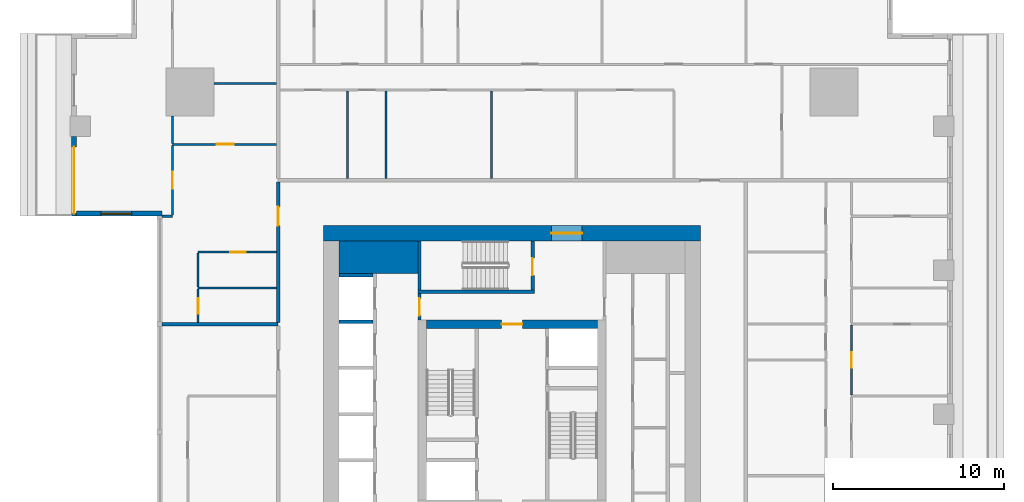
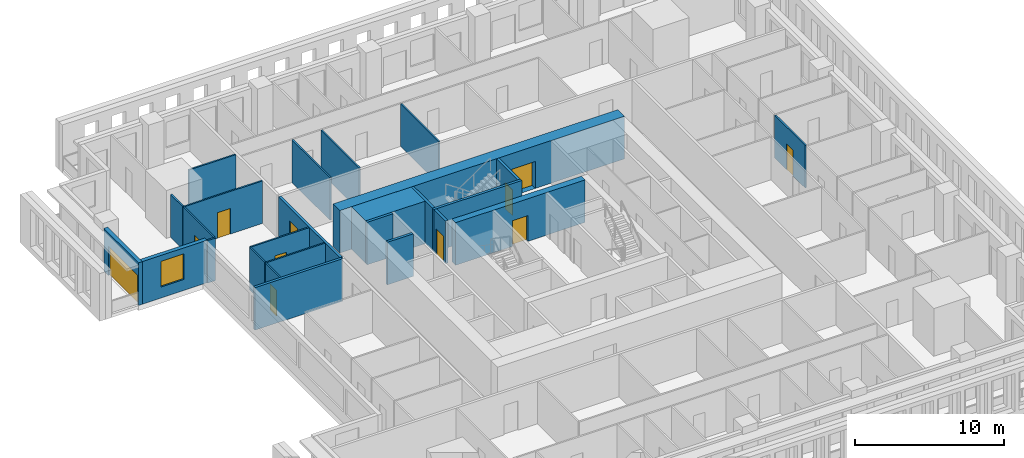
# One storey, part 6 of 14: 26 walls, 11 doors, 1 window, 12 openings.
"""IFC4 building model written with IfcOpenShell, lengths in metres."""

from ifc_helpers import new_model, si_unit, direction, frame, frame_2d, origin, place, context, subcontext, project, spatial, rectangle, extrude, material, layer, layer_set, type_object, element, fill, save


model = new_model("IFC4")

# Units and contexts
model_context = context("Model", 3, precision=1e-05, world=origin(), true_north=direction((0.0, 1.0)))
body_context = subcontext(model_context, "Body", "Model", "MODEL_VIEW")
ifc_project = project(units=[si_unit("LENGTHUNIT", "METRE"), si_unit("AREAUNIT", "SQUARE_METRE"), si_unit("VOLUMEUNIT", "CUBIC_METRE"), si_unit("PLANEANGLEUNIT", "RADIAN"), si_unit("MASSUNIT", "GRAM", prefix="KILO")], contexts=[model_context])

# Site, building, storey
site_placement = place(None, origin())
site = spatial("IfcSite", under=ifc_project, at=site_placement, CompositionType="ELEMENT")
building_placement = place(site_placement, origin())
building = spatial("IfcBuilding", under=site, at=building_placement, Name="Khepri Terraces", CompositionType="ELEMENT")
storey_placement = place(building_placement, frame((0.0, 0.0, 114.300048828125)))
storey = spatial("IfcBuildingStorey", under=building, at=storey_placement, Name="L27", CompositionType="ELEMENT", Elevation=114.300048828125)

# Walls
ifc_material_1 = material(Name="Concrete C70/85", Category="concrete")
ifc_layer_1 = layer(ifc_material_1, 1.89990234375, Name="Concrete C70/85", Category="concrete")
ifc_layer_set_1 = layer_set([ifc_layer_1], Name="Concrete C70/85")
wall_type_1 = type_object("IfcWallType", Name="Core wall 1900 C70/85", PredefinedType="SHEAR", material=ifc_layer_set_1)
wall_1_placement = place(storey_placement, frame((-10.10009765625, 9.14990234375, 0.0), z_axis=(0.0, 0.0, 1.0), x_axis=(1.0, 0.0, 0.0)))
element("IfcWall", 1, at=wall_1_placement, inside=storey, type_object=wall_type_1, Name="Core wall PR03 L27", PredefinedType="SHEAR", context=body_context, shape_type="SweptSolid", body=[
    extrude(rectangle(XDim=4.60009765625, YDim=1.89990234375, at=frame_2d((2.300048828125, 0.0))), origin(), (0.0, 0.0, 1.0), 3.47998046875),
])
ifc_layer_2 = layer(ifc_material_1, 0.199951171875, Name="Concrete C70/85", Category="concrete")
ifc_layer_set_2 = layer_set([ifc_layer_2], Name="Concrete C70/85")
wall_type_2 = type_object("IfcWallType", Name="Core wall 200 C70/85", PredefinedType="SHEAR", material=ifc_layer_set_2)
wall_2_placement = place(storey_placement, frame((-5.5, 7.14990234375, 0.0), z_axis=(0.0, 0.0, 1.0), x_axis=(1.0, 0.0, 0.0)))
element("IfcWall", 2, at=wall_2_placement, inside=storey, type_object=wall_type_2, Name="Core wall ST05 L27", PredefinedType="SHEAR", context=body_context, shape_type="SweptSolid", body=[
    extrude(rectangle(XDim=6.800048828125, YDim=0.199951171875, at=frame_2d((3.39990234375, 0.0))), origin(), (0.0, 0.0, 1.0), 3.47998046875),
])
wall_3_placement = place(storey_placement, frame((-5.39990234375, 7.25, 0.0), z_axis=(0.0, 0.0, 1.0), x_axis=(0.0, 1.0, 0.0)))
element("IfcWall", 3, at=wall_3_placement, inside=storey, type_object=wall_type_2, Name="Core wall ST06 L27", PredefinedType="SHEAR", context=body_context, shape_type="SweptSolid", body=[
    extrude(rectangle(XDim=2.85009765625, YDim=0.199951171875, at=frame_2d((1.425048828125, 0.0))), origin(), (0.0, 0.0, 1.0), 3.47998046875),
])

# Wall, opening, door
wall_4_placement = place(storey_placement, frame((1.199951171875, 7.25, 0.0), z_axis=(0.0, 0.0, 1.0), x_axis=(0.0, 1.0, 0.0)))
wall_4 = element("IfcWall", 4, at=wall_4_placement, inside=storey, type_object=wall_type_2, Name="Core wall ST07 L27", PredefinedType="SHEAR", context=body_context, shape_type="SweptSolid", body=[
    extrude(rectangle(XDim=2.85009765625, YDim=0.199951171875, at=frame_2d((1.425048828125, 0.0))), origin(), (0.0, 0.0, 1.0), 3.47998046875),
])
opening_1_placement = place(wall_4_placement, frame((0.85009765625, 0.0, 0.0)))
opening_1 = element("IfcOpeningElement", 5, at=opening_1_placement, cuts=wall_4, Name="Opening L27-C15", PredefinedType="OPENING", context=body_context, shape_type="SweptSolid", body=[
    extrude(rectangle(XDim=1.0, YDim=2.10009765625, at=frame_2d((0.5, 1.050048828125))), frame((0.0, 0.10986328125, 0.0), z_axis=(0.0, -1.0, 0.0), x_axis=(1.0, 0.0, 0.0)), (0.0, 0.0, 1.0), 0.219970703125),
])
ifc_material_2 = material(Name="Painted steel", Category="steel")
door_type_1 = type_object("IfcDoorType", Name="DR-CORE-STAIR-1000", OperationType="NOTDEFINED", PredefinedType="DOOR", material=ifc_material_2)
door_1_placement = place(opening_1_placement, origin())
door_1 = element("IfcDoor", 6, at=door_1_placement, inside=storey, type_object=door_type_1, Name="Stair door L27-C15", OperationType="SINGLE_SWING_LEFT", OverallHeight=2.10009765625, OverallWidth=1.0, PredefinedType="DOOR", context=body_context, shape_type="SweptSolid", body=[
    extrude(rectangle(XDim=1.0, YDim=2.10009765625, at=frame_2d((0.5, 1.050048828125))), frame((0.0, 0.02490234375, 0.0), z_axis=(0.0, -1.0, 0.0), x_axis=(1.0, 0.0, 0.0)), (0.0, 0.0, 1.0), 0.050048828125),
])
fill(opening_1, door_1)

# Walls
for number, where, z_axis, x_axis, name in (
    (7, (-10.10009765625, 5.39990234375, 0.0), (0.0, 0.0, 1.0), (1.0, 0.0, 0.0), "Core wall SH19 L27"),
    (8, (-10.10009765625, 8.10009765625, 0.0), (0.0, 0.0, 1.0), (1.0, 0.0, 0.0), "Core wall SH20 L27"),
):
    element("IfcWall", number, at=place(storey_placement, frame(where, z_axis=z_axis, x_axis=x_axis)), inside=storey, type_object=wall_type_2, Name=name, PredefinedType="SHEAR", context=body_context, shape_type="SweptSolid", body=[
        extrude(rectangle(XDim=2.0, YDim=0.199951171875, at=frame_2d((1.0, 0.0))), origin(), (0.0, 0.0, 1.0), 3.47998046875),
    ])

# Wall, opening, door
ifc_layer_3 = layer(ifc_material_1, 0.5, Name="Concrete C70/85", Category="concrete")
ifc_layer_set_3 = layer_set([ifc_layer_3], Name="Concrete C70/85")
wall_type_3 = type_object("IfcWallType", Name="Core wall 500 C70/85", PredefinedType="SHEAR", material=ifc_layer_set_3)
wall_5_placement = place(storey_placement, frame((-5.0, 5.25, 0.0), z_axis=(0.0, 0.0, 1.0), x_axis=(1.0, 0.0, 0.0)))
wall_5 = element("IfcWall", 9, at=wall_5_placement, inside=storey, type_object=wall_type_3, Name="Core wall BX04 L27", PredefinedType="SHEAR", context=body_context, shape_type="SweptSolid", body=[
    extrude(rectangle(XDim=10.0, YDim=0.5, at=frame_2d((5.0, 0.0))), origin(), (0.0, 0.0, 1.0), 3.47998046875),
])
opening_2_placement = place(wall_5_placement, frame((4.39990234375, 0.0, 0.0)))
opening_2 = element("IfcOpeningElement", 10, at=opening_2_placement, cuts=wall_5, Name="Opening L27-C13", PredefinedType="OPENING", context=body_context, shape_type="SweptSolid", body=[
    extrude(rectangle(XDim=1.199951171875, YDim=2.10009765625, at=frame_2d((0.60009765625, 1.050048828125))), frame((0.0, 0.260009765625, 0.0), z_axis=(0.0, -1.0, 0.0), x_axis=(1.0, 0.0, 0.0)), (0.0, 0.0, 1.0), 0.52001953125),
])
door_type_2 = type_object("IfcDoorType", Name="DR-CORE-FF-LOBBY-1200", OperationType="NOTDEFINED", PredefinedType="DOOR", material=ifc_material_2)
door_2_placement = place(opening_2_placement, frame((1.199951171875, 0.0, 0.0), z_axis=(0.0, 0.0, 1.0), x_axis=(-1.0, 0.0, 0.0)))
door_2 = element("IfcDoor", 11, at=door_2_placement, inside=storey, type_object=door_type_2, Name="Firefighting lobby door L27-C13", OperationType="SINGLE_SWING_LEFT", OverallHeight=2.10009765625, OverallWidth=1.199951171875, PredefinedType="DOOR", context=body_context, shape_type="SweptSolid", body=[
    extrude(rectangle(XDim=1.199951171875, YDim=2.10009765625, at=frame_2d((0.60009765625, 1.050048828125))), frame((0.0, 0.02490234375, 0.0), z_axis=(0.0, -1.0, 0.0), x_axis=(1.0, 0.0, 0.0)), (0.0, 0.0, 1.0), 0.050048828125),
])
fill(opening_2, door_2)

ifc_layer_4 = layer(ifc_material_1, 0.89990234375, Name="Concrete C70/85", Category="concrete")
ifc_layer_set_4 = layer_set([ifc_layer_4], Name="Concrete C70/85")
wall_type_4 = type_object("IfcWallType", Name="Core wall 900 C70/85", PredefinedType="SHEAR", material=ifc_layer_set_4)
wall_6_placement = place(storey_placement, frame((-11.0, 10.550048828125, 0.0), z_axis=(0.0, 0.0, 1.0), x_axis=(1.0, 0.0, 0.0)))
wall_6 = element("IfcWall", 12, at=wall_6_placement, inside=storey, type_object=wall_type_4, Name="Core wall OW-N L27", PredefinedType="SHEAR", context=body_context, shape_type="SweptSolid", body=[
    extrude(rectangle(XDim=22.0, YDim=0.89990234375, at=frame_2d((11.0, 0.0))), origin(), (0.0, 0.0, 1.0), 3.47998046875),
])
opening_3_placement = place(wall_6_placement, frame((13.300048828125, 0.0, 0.0)))
opening_3 = element("IfcOpeningElement", 13, at=opening_3_placement, cuts=wall_6, Name="Opening L27-C20", PredefinedType="OPENING", context=body_context, shape_type="SweptSolid", body=[
    extrude(rectangle(XDim=1.800048828125, YDim=2.199951171875, at=frame_2d((0.89990234375, 1.10009765625))), frame((0.0, 0.4599609375, 0.0), z_axis=(0.0, -1.0, 0.0), x_axis=(1.0, 0.0, 0.0)), (0.0, 0.0, 1.0), 0.919921875),
])
door_type_3 = type_object("IfcDoorType", Name="DR-CORE-ENTRANCE-1800", OperationType="NOTDEFINED", PredefinedType="DOOR", material=ifc_material_2)
door_3_placement = place(opening_3_placement, origin())
door_3 = element("IfcDoor", 14, at=door_3_placement, inside=storey, type_object=door_type_3, Name="Core entrance door pair L27-C20", OperationType="DOUBLE_DOOR_SINGLE_SWING", OverallHeight=2.199951171875, OverallWidth=1.800048828125, PredefinedType="DOOR", context=body_context, shape_type="SweptSolid", body=[
    extrude(rectangle(XDim=1.800048828125, YDim=2.199951171875, at=frame_2d((0.89990234375, 1.10009765625))), frame((0.0, 0.02490234375, 0.0), z_axis=(0.0, -1.0, 0.0), x_axis=(1.0, 0.0, 0.0)), (0.0, 0.0, 1.0), 0.050048828125),
])
fill(opening_3, door_3)

ifc_material_3 = material(Name="Fire-rated gypsum board partition")
ifc_layer_5 = layer(ifc_material_3, 0.199951171875, Name="Fire-rated gypsum board partition")
ifc_layer_set_5 = layer_set([ifc_layer_5], Name="Fire-rated gypsum board partition")
wall_type_5 = type_object("IfcWallType", Name="WL-CORE-PART-200", PredefinedType="PARTITIONING", material=ifc_layer_set_5)
wall_7_placement = place(storey_placement, frame((-5.39990234375, 5.5, 0.0), z_axis=(0.0, 0.0, 1.0), x_axis=(0.0, 1.0, 0.0)))
wall_7 = element("IfcWall", 15, at=wall_7_placement, inside=storey, type_object=wall_type_5, Name="Core partition PT07 L27", PredefinedType="PARTITIONING", context=body_context, shape_type="SweptSolid", body=[
    extrude(rectangle(XDim=1.550048828125, YDim=0.199951171875, at=frame_2d((0.77490234375, 0.0))), origin(), (0.0, 0.0, 1.0), 3.47998046875),
])
opening_4_placement = place(wall_7_placement, frame((0.25, 0.0, 0.0)))
opening_4 = element("IfcOpeningElement", 16, at=opening_4_placement, cuts=wall_7, Name="Opening L27-C16", PredefinedType="OPENING", context=body_context, shape_type="SweptSolid", body=[
    extrude(rectangle(XDim=1.0, YDim=2.10009765625, at=frame_2d((0.5, 1.050048828125))), frame((0.0, 0.10986328125, 0.0), z_axis=(0.0, -1.0, 0.0), x_axis=(1.0, 0.0, 0.0)), (0.0, 0.0, 1.0), 0.219970703125),
])
door_type_4 = type_object("IfcDoorType", Name="DR-CORE-LOBBY-1000", OperationType="NOTDEFINED", PredefinedType="DOOR", material=ifc_material_2)
door_4_placement = place(opening_4_placement, frame((1.0, 0.0, 0.0), z_axis=(0.0, 0.0, 1.0), x_axis=(-1.0, 0.0, 0.0)))
door_4 = element("IfcDoor", 17, at=door_4_placement, inside=storey, type_object=door_type_4, Name="Lobby door L27-C16", OperationType="SINGLE_SWING_RIGHT", OverallHeight=2.10009765625, OverallWidth=1.0, PredefinedType="DOOR", context=body_context, shape_type="SweptSolid", body=[
    extrude(rectangle(XDim=1.0, YDim=2.10009765625, at=frame_2d((0.5, 1.050048828125))), frame((0.0, 0.02490234375, 0.0), z_axis=(0.0, -1.0, 0.0), x_axis=(1.0, 0.0, 0.0)), (0.0, 0.0, 1.0), 0.050048828125),
])
fill(opening_4, door_4)

# Wall
ifc_material_4 = material(Name="Fire-rated gypsum plasterboard partition, mineral wool")
ifc_layer_6 = layer(ifc_material_4, 0.199951171875, Name="Fire-rated gypsum plasterboard partition, mineral wool")
ifc_layer_set_6 = layer_set([ifc_layer_6], Name="Fire-rated gypsum plasterboard partition, mineral wool")
wall_type_6 = type_object("IfcWallType", Name="WL-CORR-200", PredefinedType="PARTITIONING", material=ifc_layer_set_6)
wall_8_placement = place(storey_placement, frame((-20.419921875, 5.25, 0.0), z_axis=(0.0, 0.0, 1.0), x_axis=(1.0, 0.0, 0.0)))
element("IfcWall", 18, at=wall_8_placement, inside=storey, type_object=wall_type_6, Name="Partition P-049 L27", PredefinedType="PARTITIONING", context=body_context, shape_type="SweptSolid", body=[
    extrude(rectangle(XDim=6.77001953125, YDim=0.199951171875, at=frame_2d((3.385009765625, 0.0))), origin(), (0.0, 0.0, 1.0), 3.47998046875),
])

# Wall, opening, door
wall_9_placement = place(storey_placement, frame((-13.64990234375, 5.35009765625, 0.0), z_axis=(0.0, 0.0, 1.0), x_axis=(0.0, 1.0, 0.0)))
wall_9 = element("IfcWall", 19, at=wall_9_placement, inside=storey, type_object=wall_type_6, Name="Partition P-055 L27", PredefinedType="PARTITIONING", context=body_context, shape_type="SweptSolid", body=[
    extrude(rectangle(XDim=8.199951171875, YDim=0.199951171875, at=frame_2d((4.10009765625, 0.0))), origin(), (0.0, 0.0, 1.0), 3.47998046875),
])
opening_5_placement = place(wall_9_placement, frame((5.64990234375, 0.0, 0.0)))
opening_5 = element("IfcOpeningElement", 20, at=opening_5_placement, cuts=wall_9, Name="Opening D1", PredefinedType="OPENING", context=body_context, shape_type="SweptSolid", body=[
    extrude(rectangle(XDim=1.10009765625, YDim=2.39990234375, at=frame_2d((0.550048828125, 1.199951171875))), frame((0.0, 0.10986328125, 0.0), z_axis=(0.0, -1.0, 0.0), x_axis=(1.0, 0.0, 0.0)), (0.0, 0.0, 1.0), 0.219970703125),
])
ifc_material_5 = material(Name="Solid-core timber door leaf, flat entrance door", Category="wood")
door_type_5 = type_object("IfcDoorType", Name="DR-ENT-1100", OperationType="NOTDEFINED", PredefinedType="DOOR", material=ifc_material_5)
door_5_placement = place(opening_5_placement, origin())
door_5 = element("IfcDoor", 21, at=door_5_placement, inside=storey, type_object=door_type_5, Name="Flat D1 entrance door", OperationType="SINGLE_SWING_RIGHT", OverallHeight=2.39990234375, OverallWidth=1.10009765625, PredefinedType="DOOR", context=body_context, shape_type="SweptSolid", body=[
    extrude(rectangle(XDim=1.10009765625, YDim=2.39990234375, at=frame_2d((0.550048828125, 1.199951171875))), frame((0.0, 0.02490234375, 0.0), z_axis=(0.0, -1.0, 0.0), x_axis=(1.0, 0.0, 0.0)), (0.0, 0.0, 1.0), 0.050048828125),
])
fill(opening_5, door_5)

ifc_material_6 = material(Name="Precast concrete C50/60 warm stone", Category="masonry")
ifc_layer_7 = layer(ifc_material_6, 0.300048828125, Name="Precast concrete C50/60 warm stone", Category="masonry")
ifc_layer_set_7 = layer_set([ifc_layer_7], Name="Precast concrete C50/60 warm stone")
wall_type_7 = type_object("IfcWallType", Name="WL-EXT-PRECAST-300", PredefinedType="STANDARD", material=ifc_layer_set_7)
wall_10_placement = place(storey_placement, frame((-25.570068359375, 16.199951171875, 0.0), z_axis=(0.0, 0.0, 1.0), x_axis=(0.0, -1.0, 0.0)))
wall_10 = element("IfcWall", 22, at=wall_10_placement, inside=storey, type_object=wall_type_7, Name="External wall L27 W", PredefinedType="STANDARD", context=body_context, shape_type="SweptSolid", body=[
    extrude(rectangle(XDim=4.64990234375, YDim=0.300048828125, at=frame_2d((2.324951171875, 0.0))), origin(), (0.0, 0.0, 1.0), 3.47998046875),
])
opening_6_placement = place(wall_10_placement, frame((0.60009765625, 0.0, 0.0)))
opening_6 = element("IfcOpeningElement", 23, at=opening_6_placement, cuts=wall_10, Name="Opening ED-L27-13", PredefinedType="OPENING", context=body_context, shape_type="SweptSolid", body=[
    extrude(rectangle(XDim=3.89990234375, YDim=2.39990234375, at=frame_2d((1.949951171875, 1.199951171875))), frame((0.0, 0.16015625, 0.0), z_axis=(0.0, -1.0, 0.0), x_axis=(1.0, 0.0, 0.0)), (0.0, 0.0, 1.0), 0.320068359375),
])
ifc_material_7 = material(Name="Anodised aluminium bronze glazed door", Category="aluminium")
door_type_6 = type_object("IfcDoorType", Name="DR-BAL-SLIDE-3900x2400", OperationType="NOTDEFINED", PredefinedType="DOOR", material=ifc_material_7)
door_6_placement = place(opening_6_placement, origin())
door_6 = element("IfcDoor", 24, at=door_6_placement, inside=storey, type_object=door_type_6, Name="Balcony door L27 W", OperationType="SLIDING_TO_LEFT", OverallHeight=2.39990234375, OverallWidth=3.89990234375, PredefinedType="DOOR", context=body_context, shape_type="SweptSolid", body=[
    extrude(rectangle(XDim=3.89990234375, YDim=2.39990234375, at=frame_2d((1.949951171875, 1.199951171875))), frame((0.0, 0.02490234375, 0.0), z_axis=(0.0, -1.0, 0.0), x_axis=(1.0, 0.0, 0.0)), (0.0, 0.0, 1.0), 0.050048828125),
])
fill(opening_6, door_6)

# Wall, opening, window
wall_11_placement = place(storey_placement, frame((-25.419921875, 11.699951171875, 0.0), z_axis=(0.0, 0.0, 1.0), x_axis=(1.0, 0.0, 0.0)))
wall_11 = element("IfcWall", 25, at=wall_11_placement, inside=storey, type_object=wall_type_7, Name="External wall L27 S", PredefinedType="STANDARD", context=body_context, shape_type="SweptSolid", body=[
    extrude(rectangle(XDim=5.0, YDim=0.300048828125, at=frame_2d((2.5, 0.0))), origin(), (0.0, 0.0, 1.0), 3.47998046875),
])
opening_7_placement = place(wall_11_placement, frame((1.419921875, 0.0, 0.89990234375)))
opening_7 = element("IfcOpeningElement", 26, at=opening_7_placement, cuts=wall_11, Name="Opening W1", PredefinedType="OPENING", context=body_context, shape_type="SweptSolid", body=[
    extrude(rectangle(XDim=1.800048828125, YDim=2.10009765625, at=frame_2d((0.89990234375, 1.050048828125))), frame((0.0, 0.16015625, 0.0), z_axis=(0.0, -1.0, 0.0), x_axis=(1.0, 0.0, 0.0)), (0.0, 0.0, 1.0), 0.320068359375),
])
ifc_material_8 = material(Name="Clear glass", Category="glass")
window_type = type_object("IfcWindowType", Name="WIN-RES-1800x2100", PartitioningType="SINGLE_PANEL", PredefinedType="WINDOW", material=ifc_material_8)
window_placement = place(opening_7_placement, origin())
window = element("IfcWindow", 27, at=window_placement, inside=storey, type_object=window_type, Name="Window L27 S", OverallHeight=2.10009765625, OverallWidth=1.800048828125, PartitioningType="SINGLE_PANEL", PredefinedType="WINDOW", context=body_context, shape_type="SweptSolid", body=[
    extrude(rectangle(XDim=1.800048828125, YDim=2.10009765625, at=frame_2d((0.89990234375, 1.050048828125))), frame((0.0, 0.030029296875, 0.0), z_axis=(0.0, -1.0, 0.0), x_axis=(1.0, 0.0, 0.0)), (0.0, 0.0, 1.0), 0.06005859375),
])
fill(opening_7, window)

# Wall, opening, door
ifc_material_9 = material(Name="Gypsum plasterboard partition")
ifc_layer_8 = layer(ifc_material_9, 0.1201171875, Name="Gypsum plasterboard partition")
ifc_layer_set_8 = layer_set([ifc_layer_8], Name="Gypsum plasterboard partition")
wall_type_8 = type_object("IfcWallType", Name="WL-PART-120", PredefinedType="PARTITIONING", material=ifc_layer_set_8)
wall_12_placement = place(storey_placement, frame((19.820068359375, 1.110107421875, 0.0), z_axis=(0.0, 0.0, 1.0), x_axis=(0.0, 1.0, 0.0)))
wall_12 = element("IfcWall", 28, at=wall_12_placement, inside=storey, type_object=wall_type_8, Name="Partition P-046 L27", PredefinedType="PARTITIONING", context=body_context, shape_type="SweptSolid", body=[
    extrude(rectangle(XDim=4.079833984375, YDim=0.1201171875, at=frame_2d((2.0400390625, 0.0))), origin(), (0.0, 0.0, 1.0), 3.47998046875),
])
opening_8_placement = place(wall_12_placement, frame((1.590087890625, 0.0, 0.0)))
opening_8 = element("IfcOpeningElement", 29, at=opening_8_placement, cuts=wall_12, Name="Opening D3", PredefinedType="OPENING", context=body_context, shape_type="SweptSolid", body=[
    extrude(rectangle(XDim=0.89990234375, YDim=2.10009765625, at=frame_2d((0.449951171875, 1.050048828125))), frame((0.0, 0.070068359375, 0.0), z_axis=(0.0, -1.0, 0.0), x_axis=(1.0, 0.0, 0.0)), (0.0, 0.0, 1.0), 0.14013671875),
])
ifc_material_10 = material(Name="Timber door leaf", Category="wood")
door_type_7 = type_object("IfcDoorType", Name="DR-INT-900", OperationType="NOTDEFINED", PredefinedType="DOOR", material=ifc_material_10)
door_7_placement = place(opening_8_placement, frame((0.89990234375, 0.0, 0.0), z_axis=(0.0, 0.0, 1.0), x_axis=(-1.0, 0.0, 0.0)))
door_7 = element("IfcDoor", 30, at=door_7_placement, inside=storey, type_object=door_type_7, Name="Door Bedroom", OperationType="SINGLE_SWING_LEFT", OverallHeight=2.10009765625, OverallWidth=0.89990234375, PredefinedType="DOOR", context=body_context, shape_type="SweptSolid", body=[
    extrude(rectangle(XDim=0.89990234375, YDim=2.10009765625, at=frame_2d((0.449951171875, 1.050048828125))), frame((0.0, 0.02490234375, 0.0), z_axis=(0.0, -1.0, 0.0), x_axis=(1.0, 0.0, 0.0)), (0.0, 0.0, 1.0), 0.050048828125),
])
fill(opening_8, door_7)

wall_13_placement = place(storey_placement, frame((-18.320068359375, 5.35009765625, 0.0), z_axis=(0.0, 0.0, 1.0), x_axis=(0.0, 1.0, 0.0)))
wall_13 = element("IfcWall", 31, at=wall_13_placement, inside=storey, type_object=wall_type_8, Name="Partition P-054 L27", PredefinedType="PARTITIONING", context=body_context, shape_type="SweptSolid", body=[
    extrude(rectangle(XDim=1.93994140625, YDim=0.1201171875, at=frame_2d((0.969970703125, 0.0))), origin(), (0.0, 0.0, 1.0), 3.47998046875),
])
opening_9_placement = place(wall_13_placement, frame((0.5, 0.0, 0.0)))
opening_9 = element("IfcOpeningElement", 32, at=opening_9_placement, cuts=wall_13, Name="Opening D3", PredefinedType="OPENING", context=body_context, shape_type="SweptSolid", body=[
    extrude(rectangle(XDim=0.89990234375, YDim=2.10009765625, at=frame_2d((0.449951171875, 1.050048828125))), frame((0.0, 0.070068359375, 0.0), z_axis=(0.0, -1.0, 0.0), x_axis=(1.0, 0.0, 0.0)), (0.0, 0.0, 1.0), 0.14013671875),
])
door_8_placement = place(opening_9_placement, frame((0.89990234375, 0.0, 0.0), z_axis=(0.0, 0.0, 1.0), x_axis=(-1.0, 0.0, 0.0)))
door_8 = element("IfcDoor", 33, at=door_8_placement, inside=storey, type_object=door_type_7, Name="Door Kitchen", OperationType="SINGLE_SWING_RIGHT", OverallHeight=2.10009765625, OverallWidth=0.89990234375, PredefinedType="DOOR", context=body_context, shape_type="SweptSolid", body=[
    extrude(rectangle(XDim=0.89990234375, YDim=2.10009765625, at=frame_2d((0.449951171875, 1.050048828125))), frame((0.0, 0.02490234375, 0.0), z_axis=(0.0, -1.0, 0.0), x_axis=(1.0, 0.0, 0.0)), (0.0, 0.0, 1.0), 0.050048828125),
])
fill(opening_9, door_8)

# Walls
wall_14_placement = place(storey_placement, frame((-18.320068359375, 7.35009765625, 0.0), z_axis=(0.0, 0.0, 1.0), x_axis=(1.0, 0.0, 0.0)))
element("IfcWall", 34, at=wall_14_placement, inside=storey, type_object=wall_type_8, Name="Partition P-056 L27", PredefinedType="PARTITIONING", context=body_context, shape_type="SweptSolid", body=[
    extrude(rectangle(XDim=4.570068359375, YDim=0.1201171875, at=frame_2d((2.28515625, 0.0))), origin(), (0.0, 0.0, 1.0), 3.47998046875),
])
wall_15_placement = place(storey_placement, frame((-18.320068359375, 7.409912109375, 0.0), z_axis=(0.0, 0.0, 1.0), x_axis=(0.0, 1.0, 0.0)))
element("IfcWall", 35, at=wall_15_placement, inside=storey, type_object=wall_type_8, Name="Partition P-058 L27", PredefinedType="PARTITIONING", context=body_context, shape_type="SweptSolid", body=[
    extrude(rectangle(XDim=1.97998046875, YDim=0.1201171875, at=frame_2d((0.989990234375, 0.0))), origin(), (0.0, 0.0, 1.0), 3.47998046875),
])

# Wall, opening, door
wall_16_placement = place(storey_placement, frame((-18.320068359375, 9.449951171875, 0.0), z_axis=(0.0, 0.0, 1.0), x_axis=(1.0, 0.0, 0.0)))
wall_16 = element("IfcWall", 36, at=wall_16_placement, inside=storey, type_object=wall_type_8, Name="Partition P-060 L27", PredefinedType="PARTITIONING", context=body_context, shape_type="SweptSolid", body=[
    extrude(rectangle(XDim=4.570068359375, YDim=0.1201171875, at=frame_2d((2.28515625, 0.0))), origin(), (0.0, 0.0, 1.0), 3.47998046875),
])
opening_10_placement = place(wall_16_placement, frame((1.885009765625, 0.0, 0.0)))
opening_10 = element("IfcOpeningElement", 37, at=opening_10_placement, cuts=wall_16, Name="Opening D4", PredefinedType="OPENING", context=body_context, shape_type="SweptSolid", body=[
    extrude(rectangle(XDim=0.89990234375, YDim=2.10009765625, at=frame_2d((0.449951171875, 1.050048828125))), frame((0.0, 0.070068359375, 0.0), z_axis=(0.0, -1.0, 0.0), x_axis=(1.0, 0.0, 0.0)), (0.0, 0.0, 1.0), 0.14013671875),
])
ifc_material_11 = material(Name="Timber door leaf, moisture resistant", Category="wood")
door_type_8 = type_object("IfcDoorType", Name="DR-WET-900", OperationType="NOTDEFINED", PredefinedType="DOOR", material=ifc_material_11)
door_9_placement = place(opening_10_placement, frame((0.89990234375, 0.0, 0.0), z_axis=(0.0, 0.0, 1.0), x_axis=(-1.0, 0.0, 0.0)))
door_9 = element("IfcDoor", 38, at=door_9_placement, inside=storey, type_object=door_type_8, Name="Door Guest Bathroom", OperationType="SINGLE_SWING_LEFT", OverallHeight=2.10009765625, OverallWidth=0.89990234375, PredefinedType="DOOR", context=body_context, shape_type="SweptSolid", body=[
    extrude(rectangle(XDim=0.89990234375, YDim=2.10009765625, at=frame_2d((0.449951171875, 1.050048828125))), frame((0.0, 0.02490234375, 0.0), z_axis=(0.0, -1.0, 0.0), x_axis=(1.0, 0.0, 0.0)), (0.0, 0.0, 1.0), 0.050048828125),
])
fill(opening_10, door_9)

# Wall
wall_17_placement = place(storey_placement, frame((-20.419921875, 11.550048828125, 0.0), z_axis=(0.0, 0.0, 1.0), x_axis=(1.0, 0.0, 0.0)))
element("IfcWall", 39, at=wall_17_placement, inside=storey, type_object=wall_type_8, Name="Partition P-063 L27", PredefinedType="PARTITIONING", context=body_context, shape_type="SweptSolid", body=[
    extrude(rectangle(XDim=0.599853515625, YDim=0.1201171875, at=frame_2d((0.2998046875, 0.0))), origin(), (0.0, 0.0, 1.0), 3.47998046875),
])

# Wall, opening, door
wall_18_placement = place(storey_placement, frame((-19.820068359375, 11.610107421875, 0.0), z_axis=(0.0, 0.0, 1.0), x_axis=(0.0, 1.0, 0.0)))
wall_18 = element("IfcWall", 40, at=wall_18_placement, inside=storey, type_object=wall_type_8, Name="Partition P-065 L27", PredefinedType="PARTITIONING", context=body_context, shape_type="SweptSolid", body=[
    extrude(rectangle(XDim=4.079833984375, YDim=0.1201171875, at=frame_2d((2.0400390625, 0.0))), origin(), (0.0, 0.0, 1.0), 3.47998046875),
])
opening_11_placement = place(wall_18_placement, frame((1.5400390625, 0.0, 0.0)))
opening_11 = element("IfcOpeningElement", 41, at=opening_11_placement, cuts=wall_18, Name="Opening D2", PredefinedType="OPENING", context=body_context, shape_type="SweptSolid", body=[
    extrude(rectangle(XDim=1.0, YDim=2.10009765625, at=frame_2d((0.5, 1.050048828125))), frame((0.0, 0.070068359375, 0.0), z_axis=(0.0, -1.0, 0.0), x_axis=(1.0, 0.0, 0.0)), (0.0, 0.0, 1.0), 0.14013671875),
])
ifc_material_12 = material(Name="Timber door leaf, living room door", Category="wood")
door_type_9 = type_object("IfcDoorType", Name="DR-INT-1000", OperationType="NOTDEFINED", PredefinedType="DOOR", material=ifc_material_12)
door_10_placement = place(opening_11_placement, origin())
door_10 = element("IfcDoor", 42, at=door_10_placement, inside=storey, type_object=door_type_9, Name="Door Living Room", OperationType="SINGLE_SWING_RIGHT", OverallHeight=2.10009765625, OverallWidth=1.0, PredefinedType="DOOR", context=body_context, shape_type="SweptSolid", body=[
    extrude(rectangle(XDim=1.0, YDim=2.10009765625, at=frame_2d((0.5, 1.050048828125))), frame((0.0, 0.02490234375, 0.0), z_axis=(0.0, -1.0, 0.0), x_axis=(1.0, 0.0, 0.0)), (0.0, 0.0, 1.0), 0.050048828125),
])
fill(opening_11, door_10)

# Walls
for number, where, z_axis, x_axis, name in (
    (43, (-9.60009765625, 13.75, 0.0), (0.0, 0.0, 1.0), (0.0, 1.0, 0.0), "Partition P-069 L27"),
    (44, (-7.35009765625, 13.75, 0.0), (0.0, 0.0, 1.0), (0.0, 1.0, 0.0), "Partition P-070 L27"),
    (45, (-1.199951171875, 13.75, 0.0), (0.0, 0.0, 1.0), (0.0, 1.0, 0.0), "Partition P-071 L27"),
):
    element("IfcWall", number, at=place(storey_placement, frame(where, z_axis=z_axis, x_axis=x_axis)), inside=storey, type_object=wall_type_8, Name=name, PredefinedType="PARTITIONING", context=body_context, shape_type="SweptSolid", body=[
        extrude(rectangle(XDim=5.110107421875, YDim=0.1201171875, at=frame_2d((2.55517578125, 0.0))), origin(), (0.0, 0.0, 1.0), 3.47998046875),
    ])

# Wall, opening, door
wall_19_placement = place(storey_placement, frame((-19.820068359375, 15.75, 0.0), z_axis=(0.0, 0.0, 1.0), x_axis=(1.0, 0.0, 0.0)))
wall_19 = element("IfcWall", 46, at=wall_19_placement, inside=storey, type_object=wall_type_8, Name="Partition P-075 L27", PredefinedType="PARTITIONING", context=body_context, shape_type="SweptSolid", body=[
    extrude(rectangle(XDim=6.070068359375, YDim=0.1201171875, at=frame_2d((3.03515625, 0.0))), origin(), (0.0, 0.0, 1.0), 3.47998046875),
])
opening_12_placement = place(wall_19_placement, frame((2.5849609375, 0.0, 0.0)))
opening_12 = element("IfcOpeningElement", 47, at=opening_12_placement, cuts=wall_19, Name="Opening D2", PredefinedType="OPENING", context=body_context, shape_type="SweptSolid", body=[
    extrude(rectangle(XDim=1.0, YDim=2.10009765625, at=frame_2d((0.5, 1.050048828125))), frame((0.0, 0.070068359375, 0.0), z_axis=(0.0, -1.0, 0.0), x_axis=(1.0, 0.0, 0.0)), (0.0, 0.0, 1.0), 0.14013671875),
])
door_11_placement = place(opening_12_placement, origin())
door_11 = element("IfcDoor", 48, at=door_11_placement, inside=storey, type_object=door_type_9, Name="Door Family Room", OperationType="SINGLE_SWING_RIGHT", OverallHeight=2.10009765625, OverallWidth=1.0, PredefinedType="DOOR", context=body_context, shape_type="SweptSolid", body=[
    extrude(rectangle(XDim=1.0, YDim=2.10009765625, at=frame_2d((0.5, 1.050048828125))), frame((0.0, 0.02490234375, 0.0), z_axis=(0.0, -1.0, 0.0), x_axis=(1.0, 0.0, 0.0)), (0.0, 0.0, 1.0), 0.050048828125),
])
fill(opening_12, door_11)

# Walls
wall_20_placement = place(storey_placement, frame((-19.820068359375, 15.81005859375, 0.0), z_axis=(0.0, 0.0, 1.0), x_axis=(0.0, 1.0, 0.0)))
element("IfcWall", 49, at=wall_20_placement, inside=storey, type_object=wall_type_8, Name="Partition P-076 L27", PredefinedType="PARTITIONING", context=body_context, shape_type="SweptSolid", body=[
    extrude(rectangle(XDim=1.58984375, YDim=0.1201171875, at=frame_2d((0.794921875, 0.0))), origin(), (0.0, 0.0, 1.0), 3.47998046875),
])
wall_21_placement = place(storey_placement, frame((-17.39990234375, 19.2958984375, 0.0), z_axis=(0.0, 0.0, 1.0), x_axis=(1.0, 0.0, 0.0)))
element("IfcWall", 50, at=wall_21_placement, inside=storey, type_object=wall_type_8, Name="Partition P-078 L27", PredefinedType="PARTITIONING", context=body_context, shape_type="SweptSolid", body=[
    extrude(rectangle(XDim=3.64990234375, YDim=0.1201171875, at=frame_2d((1.824951171875, 0.0))), origin(), (0.0, 0.0, 1.0), 3.47998046875),
])

save(model, "model.ifc")
